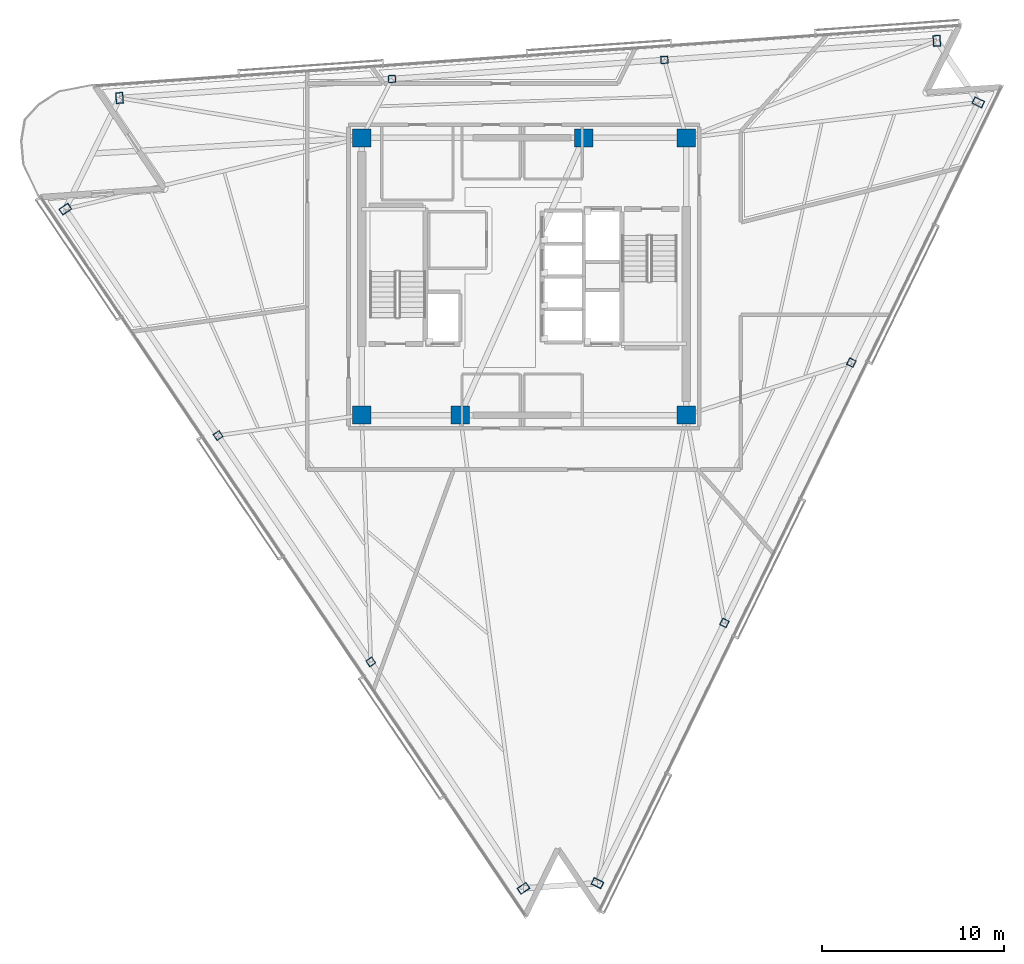
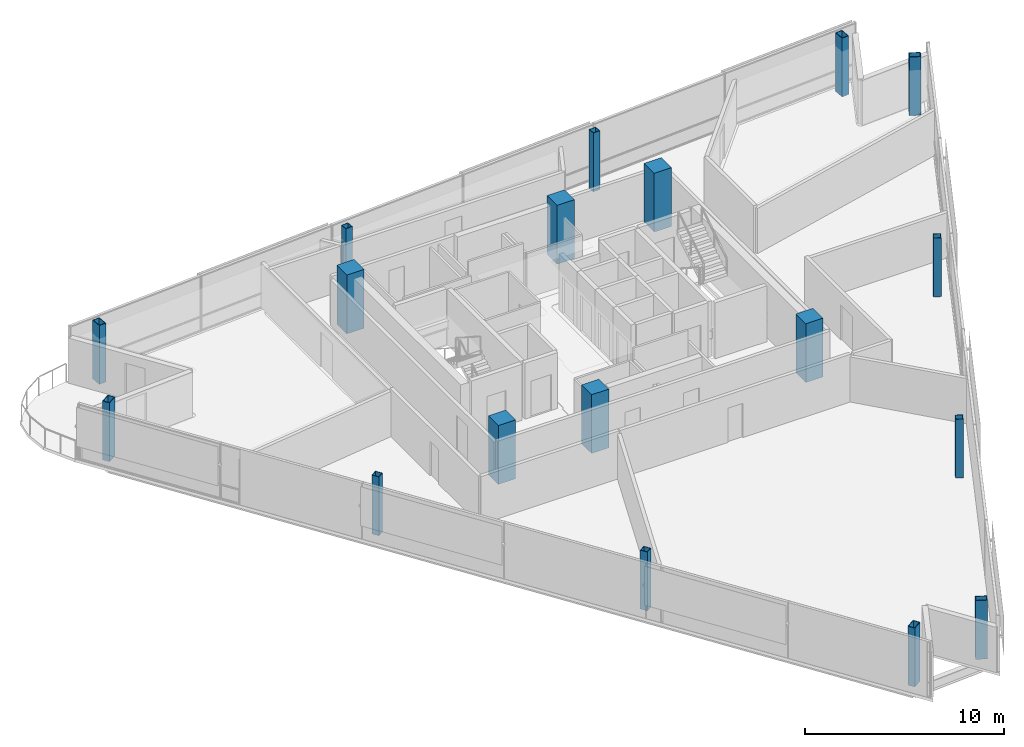
# One storey, part 1 of 16: 18 columns.
"""IFC4 building model written with IfcOpenShell, lengths in metres."""

from ifc_helpers import new_model, si_unit, direction, frame, origin, origin_2d, place, context, subcontext, project, spatial, rectangle, hollow_rectangle, extrude, material, material_profile, profile_set, type_object, element, save


model = new_model("IFC4")

# Units and contexts
model_context = context("Model", 3, precision=1e-05, world=origin(), true_north=direction((0.0, 1.0)))
body_context = subcontext(model_context, "Body", "Model", "MODEL_VIEW")
ifc_project = project(units=[si_unit("LENGTHUNIT", "METRE"), si_unit("AREAUNIT", "SQUARE_METRE"), si_unit("VOLUMEUNIT", "CUBIC_METRE"), si_unit("PLANEANGLEUNIT", "RADIAN"), si_unit("MASSUNIT", "GRAM", prefix="KILO")], contexts=[model_context])

# Site, building, storey
site_placement = place(None, origin())
site = spatial("IfcSite", under=ifc_project, at=site_placement, CompositionType="ELEMENT")
building_placement = place(site_placement, origin())
building = spatial("IfcBuilding", under=site, at=building_placement, Name="Tharavind Bronze Gate", CompositionType="ELEMENT")
storey_placement = place(building_placement, frame((0.0, 0.0, 257.0)))
storey = spatial("IfcBuildingStorey", under=building, at=storey_placement, Name="L66", CompositionType="ELEMENT", Elevation=257.0)

# Columns
ifc_material_1 = material(Name="Steel S460", Category="steel")
ifc_material_profile_1 = material_profile(ifc_material_1, hollow_rectangle(XDim=0.39990234375, YDim=0.60009765625, WallThickness=0.030029296875, at=origin_2d()), Name="RHS600X400X30")
ifc_profile_set_1 = profile_set([ifc_material_profile_1], Name="Steel S460")
column_type_1 = type_object("IfcColumnType", Name="CORNER NOTCH COLUMN RHS600X400", PredefinedType="COLUMN", material=ifc_profile_set_1)
for number, where, z_axis, x_axis, name in (
    (1, (-25.14990234375, 3.694580078125, 0.0), (0.0, 0.0, 1.0), (-0.559192903471, 0.829037572555, 0.0), "L66 perimeter column S1C1"),
    (2, (-0.02880859375, -33.549072265625, 0.0), (0.0, 0.0, 1.0), (-0.559192903471, 0.829037572555, 0.0), "L66 perimeter column S1C4"),
    (3, (4.029296875, -33.26513671875, 0.0), (0.0, 0.0, 1.0), (0.43837271548, 0.898793281196, 0.0), "L66 perimeter column S2C1"),
    (4, (24.91162109375, 9.5498046875, 0.0), (0.0, 0.0, 1.0), (0.43837271548, 0.898793281196, 0.0), "L66 perimeter column S2C4"),
    (5, (22.636962890625, 12.92236328125, 0.0), (0.0, 0.0, 1.0), (0.99756392851, 0.069758214822, 0.0), "L66 perimeter column S3C1"),
    (6, (-22.177490234375, 9.78857421875, 0.0), (0.0, 0.0, 1.0), (0.99756392851, 0.069758214822, 0.0), "L66 perimeter column S3C4"),
):
    element("IfcColumn", number, at=place(storey_placement, frame(where, z_axis=z_axis, x_axis=x_axis)), inside=storey, type_object=column_type_1, Name=name, PredefinedType="COLUMN", context=body_context, shape_type="SweptSolid", body=[
        extrude(hollow_rectangle(XDim=0.39990234375, YDim=0.60009765625, WallThickness=0.030029296875, at=origin_2d()), origin(), (0.0, 0.0, 1.0), 3.60009765625),
    ])
ifc_material_2 = material(Name="Concrete C50/60", Category="concrete")
ifc_material_profile_2 = material_profile(ifc_material_2, rectangle(XDim=1.0, YDim=1.0, at=origin_2d()), Name="RCCOL1000")
ifc_profile_set_2 = profile_set([ifc_material_profile_2], Name="Concrete C50/60")
column_type_2 = type_object("IfcColumnType", Name="MEGA CORE COLUMN 1000", PredefinedType="COLUMN", material=ifc_profile_set_2)
for number, where, z_axis, x_axis, name in (
    (7, (-8.89990234375, -7.60009765625, 0.0), (0.0, 0.0, 1.0), (1.0, 0.0, 0.0), "L66 core mega column MC1"),
    (8, (-3.5, -7.60009765625, 0.0), (0.0, 0.0, 1.0), (1.0, 0.0, 0.0), "L66 core mega column MC2"),
    (9, (8.89990234375, -7.60009765625, 0.0), (0.0, 0.0, 1.0), (1.0, 0.0, 0.0), "L66 core mega column MC3"),
    (10, (8.89990234375, 7.60009765625, 0.0), (0.0, 0.0, 1.0), (1.0, 0.0, 0.0), "L66 core mega column MC4"),
    (11, (3.280029296875, 7.60009765625, 0.0), (0.0, 0.0, 1.0), (1.0, 0.0, 0.0), "L66 core mega column MC5"),
    (12, (-8.89990234375, 7.60009765625, 0.0), (0.0, 0.0, 1.0), (1.0, 0.0, 0.0), "L66 core mega column MC6"),
):
    element("IfcColumn", number, at=place(storey_placement, frame(where, z_axis=z_axis, x_axis=x_axis)), inside=storey, type_object=column_type_2, Name=name, PredefinedType="COLUMN", context=body_context, shape_type="SweptSolid", body=[
        extrude(rectangle(XDim=1.0, YDim=1.0, at=origin_2d()), origin(), (0.0, 0.0, 1.0), 3.60009765625),
    ])
ifc_material_profile_3 = material_profile(ifc_material_1, hollow_rectangle(XDim=0.39990234375, YDim=0.39990234375, WallThickness=0.02490234375, at=origin_2d()), Name="SHS400X25")
ifc_profile_set_3 = profile_set([ifc_material_profile_3], Name="Steel S460")
column_type_3 = type_object("IfcColumnType", Name="PERIMETER BOX COLUMN SHS400", PredefinedType="COLUMN", material=ifc_profile_set_3)
for number, where, z_axis, x_axis, name in (
    (13, (-16.776123046875, -8.719970703125, 0.0), (0.0, 0.0, 1.0), (-0.559192903471, 0.829037572555, 0.0), "L66 perimeter column S1C2"),
    (14, (-8.40234375, -21.134521484375, 0.0), (0.0, 0.0, 1.0), (-0.559192903471, 0.829037572555, 0.0), "L66 perimeter column S1C3"),
    (15, (10.990234375, -18.99365234375, 0.0), (0.0, 0.0, 1.0), (0.43837271548, 0.898793281196, 0.0), "L66 perimeter column S2C2"),
    (16, (17.950927734375, -4.721923828125, 0.0), (0.0, 0.0, 1.0), (0.43837271548, 0.898793281196, 0.0), "L66 perimeter column S2C3"),
    (17, (7.69873046875, 11.877685546875, 0.0), (0.0, 0.0, 1.0), (0.99756392851, 0.069758214822, 0.0), "L66 perimeter column S3C2"),
    (18, (-7.239501953125, 10.8330078125, 0.0), (0.0, 0.0, 1.0), (0.99756392851, 0.069758214822, 0.0), "L66 perimeter column S3C3"),
):
    element("IfcColumn", number, at=place(storey_placement, frame(where, z_axis=z_axis, x_axis=x_axis)), inside=storey, type_object=column_type_3, Name=name, PredefinedType="COLUMN", context=body_context, shape_type="SweptSolid", body=[
        extrude(hollow_rectangle(XDim=0.39990234375, YDim=0.39990234375, WallThickness=0.02490234375, at=origin_2d()), origin(), (0.0, 0.0, 1.0), 3.60009765625),
    ])

save(model, "model.ifc")
